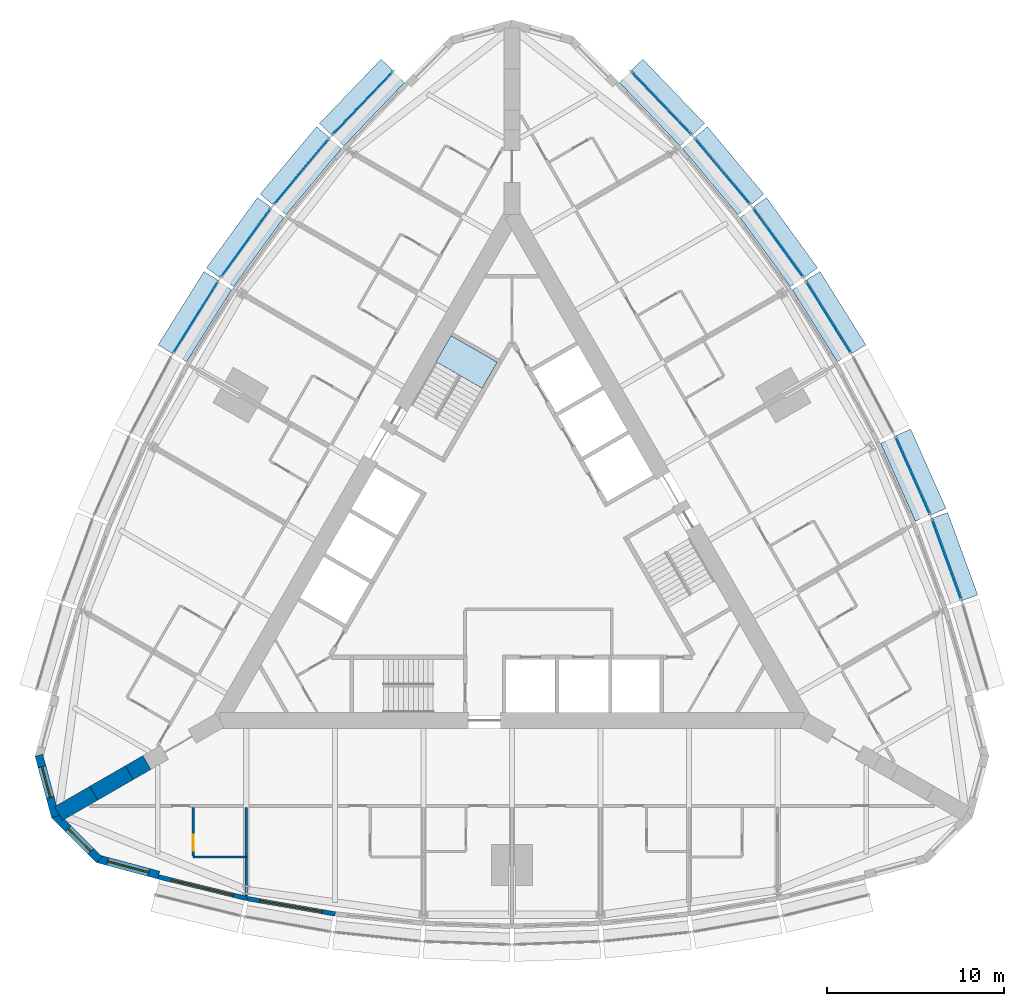
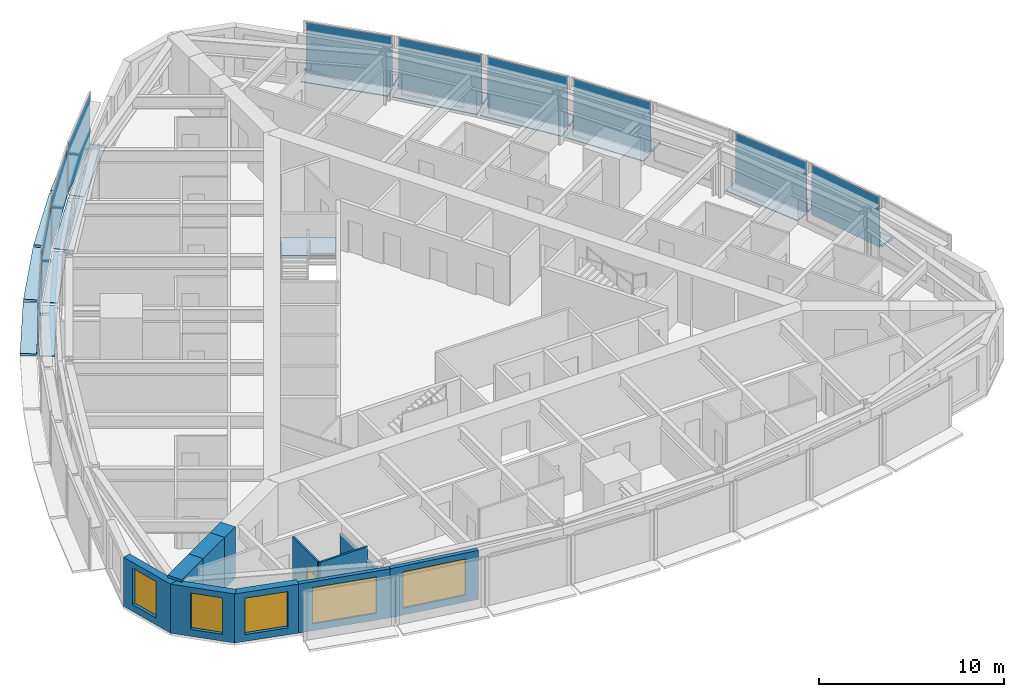
# One storey, part 7 of 14: 29 plates, 11 walls, 5 windows, 1 door, 1 slab, 6 openings, 11 elements without a shape of their own.
"""IFC4 building model written with IfcOpenShell, lengths in metres."""

from ifc_helpers import new_model, si_unit, direction, frame, frame_2d, origin, origin_2d, place, context, subcontext, project, spatial, polyline, rectangle, outline, extrude, material, layer, layer_set, type_object, element, fill, aggregate, save


model = new_model("IFC4")

# Units and contexts
model_context = context("Model", 3, precision=1e-05, world=origin(), true_north=direction((0.0, 1.0)))
body_context = subcontext(model_context, "Body", "Model", "MODEL_VIEW")
ifc_project = project(units=[si_unit("LENGTHUNIT", "METRE"), si_unit("AREAUNIT", "SQUARE_METRE"), si_unit("VOLUMEUNIT", "CUBIC_METRE"), si_unit("PLANEANGLEUNIT", "RADIAN"), si_unit("MASSUNIT", "GRAM", prefix="KILO")], contexts=[model_context])

# Site, building, storey
site_placement = place(None, origin())
site = spatial("IfcSite", under=ifc_project, at=site_placement, CompositionType="ELEMENT")
building_placement = place(site_placement, origin())
building = spatial("IfcBuilding", under=site, at=building_placement, Name="Trikona Tower", CompositionType="ELEMENT")
storey_placement = place(building_placement, frame((0.0, 0.0, 128.300048828125)))
storey = spatial("IfcBuildingStorey", under=building, at=storey_placement, Name="L33", CompositionType="ELEMENT", Elevation=128.300048828125)

# Plates
ifc_material_1 = material(Name="Aluminium bar grating", Category="aluminium")
ifc_layer_1 = layer(ifc_material_1, 0.050048828125)
ifc_layer_set_1 = layer_set([ifc_layer_1], Name="Cavity catwalk grating")
plate_type_1 = type_object("IfcPlateType", Name="Cavity catwalk grating", PredefinedType="USERDEFINED", material=ifc_layer_set_1)
plate_1_placement = place(storey_placement, frame((22.175048828125, 4.092529296875, -0.05029296875), z_axis=(0.0, 0.0, 1.0), x_axis=(-0.406843467615, 0.913497888809, 0.0)))
element("IfcPlate", 1, at=plate_1_placement, inside=storey, type_object=plate_type_1, Name="Cavity catwalk L33-14", ObjectType="CATWALK GRATING", PredefinedType="USERDEFINED", context=body_context, shape_type="SweptSolid", body=[
    extrude(rectangle(XDim=4.827392578125, YDim=0.830078125, at=origin_2d()), origin(), (0.0, 0.0, 1.0), 0.050048828125),
])
plate_2_placement = place(storey_placement, frame((17.450927734375, 12.978759765625, -0.05029296875), z_axis=(0.0, 0.0, 1.0), x_axis=(-0.529994748414, 0.848000923734, 0.0)))
element("IfcPlate", 2, at=plate_2_placement, inside=storey, type_object=plate_type_1, Name="Cavity catwalk L33-16", ObjectType="CATWALK GRATING", PredefinedType="USERDEFINED", context=body_context, shape_type="SweptSolid", body=[
    extrude(rectangle(XDim=4.802978515625, YDim=0.830078125, at=origin_2d()), origin(), (0.0, 0.0, 1.0), 0.050048828125),
])
plate_3_placement = place(storey_placement, frame((14.6318359375, 17.157958984375, -0.05029296875), z_axis=(0.0, 0.0, 1.0), x_axis=(-0.587686407834, 0.809088799853, 0.0)))
element("IfcPlate", 3, at=plate_3_placement, inside=storey, type_object=plate_type_1, Name="Cavity catwalk L33-17", ObjectType="CATWALK GRATING", PredefinedType="USERDEFINED", context=body_context, shape_type="SweptSolid", body=[
    extrude(rectangle(XDim=4.827392578125, YDim=0.830078125, at=origin_2d()), origin(), (0.0, 0.0, 1.0), 0.050048828125),
])
plate_4_placement = place(storey_placement, frame((11.508056640625, 21.160400390625, -0.05029296875), z_axis=(0.0, 0.0, 1.0), x_axis=(-0.641807063101, 0.766866151133, 0.0)))
element("IfcPlate", 4, at=plate_4_placement, inside=storey, type_object=plate_type_1, Name="Cavity catwalk L33-18", ObjectType="CATWALK GRATING", PredefinedType="USERDEFINED", context=body_context, shape_type="SweptSolid", body=[
    extrude(rectangle(XDim=4.8759765625, YDim=0.830078125, at=origin_2d()), origin(), (0.0, 0.0, 1.0), 0.050048828125),
])
for number, where, z_axis, x_axis, name in (
    (5, (8.080078125, 24.986328125, -0.05029296875), (0.0, 0.0, 1.0), (-0.691723573819, 0.722162376078, 0.0), "Cavity catwalk L33-19"),
    (6, (-8.080078125, 24.986328125, -0.05029296875), (0.0, 0.0, 1.0), (-0.691723573819, -0.722162376078, 0.0), "Cavity catwalk L33-24"),
):
    element("IfcPlate", number, at=place(storey_placement, frame(where, z_axis=z_axis, x_axis=x_axis)), inside=storey, type_object=plate_type_1, Name=name, ObjectType="CATWALK GRATING", PredefinedType="USERDEFINED", context=body_context, shape_type="SweptSolid", body=[
        extrude(rectangle(XDim=4.947998046875, YDim=0.830078125, at=origin_2d()), origin(), (0.0, 0.0, 1.0), 0.050048828125),
    ])
plate_5_placement = place(storey_placement, frame((-11.508056640625, 21.160400390625, -0.05029296875), z_axis=(0.0, 0.0, 1.0), x_axis=(-0.641807063101, -0.766866151133, 0.0)))
element("IfcPlate", 7, at=plate_5_placement, inside=storey, type_object=plate_type_1, Name="Cavity catwalk L33-25", ObjectType="CATWALK GRATING", PredefinedType="USERDEFINED", context=body_context, shape_type="SweptSolid", body=[
    extrude(rectangle(XDim=4.8759765625, YDim=0.830078125, at=origin_2d()), origin(), (0.0, 0.0, 1.0), 0.050048828125),
])
plate_6_placement = place(storey_placement, frame((-14.6318359375, 17.157958984375, -0.05029296875), z_axis=(0.0, 0.0, 1.0), x_axis=(-0.587686407834, -0.809088799853, 0.0)))
element("IfcPlate", 8, at=plate_6_placement, inside=storey, type_object=plate_type_1, Name="Cavity catwalk L33-26", ObjectType="CATWALK GRATING", PredefinedType="USERDEFINED", context=body_context, shape_type="SweptSolid", body=[
    extrude(rectangle(XDim=4.827392578125, YDim=0.830078125, at=origin_2d()), origin(), (0.0, 0.0, 1.0), 0.050048828125),
])
plate_7_placement = place(storey_placement, frame((-17.450927734375, 12.978759765625, -0.05029296875), z_axis=(0.0, 0.0, 1.0), x_axis=(-0.529994748414, -0.848000923734, 0.0)))
element("IfcPlate", 9, at=plate_7_placement, inside=storey, type_object=plate_type_1, Name="Cavity catwalk L33-27", ObjectType="CATWALK GRATING", PredefinedType="USERDEFINED", context=body_context, shape_type="SweptSolid", body=[
    extrude(rectangle(XDim=4.802978515625, YDim=0.830078125, at=origin_2d()), origin(), (0.0, 0.0, 1.0), 0.050048828125),
])

# Curtain wall, plate
ifc_material_2 = material(Name="Aluminium curtain wall system", Category="aluminium")
curtain_wall_type = type_object("IfcCurtainWallType", Name="Curtain wall DS2", PredefinedType="NOTDEFINED", material=ifc_material_2)
curtain_wall_1_placement = place(storey_placement, origin())
curtain_wall_1 = element("IfcCurtainWall", 10, at=curtain_wall_1_placement, inside=storey, type_object=curtain_wall_type, Name="Curtain wall DS2 L33", PredefinedType="NOTDEFINED")
ifc_material_3 = material(Name="Laminated clear glass", Category="glass")
ifc_layer_2 = layer(ifc_material_3, 0.028076171875)
ifc_layer_set_2 = layer_set([ifc_layer_2], Name="Glass panel DS2")
plate_type_2 = type_object("IfcPlateType", Name="Glass panel DS2", PredefinedType="CURTAIN_PANEL", material=ifc_layer_set_2)
plate_8_placement = place(storey_placement, frame((24.53515625, -0.447509765625, 0.0), z_axis=(0.0, 0.0, 1.0), x_axis=(-0.343223420143, 0.939253790978, 0.0)))
plate_8 = element("IfcPlate", 11, at=plate_8_placement, type_object=plate_type_2, Name="CW-DS2 panel 1.1", PredefinedType="CURTAIN_PANEL", context=body_context, shape_type="SweptSolid", body=[
    extrude(rectangle(XDim=4.7958984375, YDim=0.028076171875, at=origin_2d()), origin(), (0.0, 0.0, 1.0), 3.320068359375),
])
aggregate(curtain_wall_1, [plate_8])

curtain_wall_2_placement = place(storey_placement, origin())
curtain_wall_2 = element("IfcCurtainWall", 12, at=curtain_wall_2_placement, inside=storey, type_object=curtain_wall_type, Name="Curtain wall DS2 L33", PredefinedType="NOTDEFINED")
plate_9_placement = place(storey_placement, frame((22.6181640625, 4.289794921875, 0.0), z_axis=(0.0, 0.0, 1.0), x_axis=(-0.406836013132, 0.913501208767, 0.0)))
plate_9 = element("IfcPlate", 13, at=plate_9_placement, type_object=plate_type_2, Name="CW-DS2 panel 1.1", PredefinedType="CURTAIN_PANEL", context=body_context, shape_type="SweptSolid", body=[
    extrude(rectangle(XDim=4.747314453125, YDim=0.028076171875, at=origin_2d()), origin(), (0.0, 0.0, 1.0), 3.320068359375),
])
aggregate(curtain_wall_2, [plate_9])

curtain_wall_3_placement = place(storey_placement, origin())
curtain_wall_3 = element("IfcCurtainWall", 14, at=curtain_wall_3_placement, inside=storey, type_object=curtain_wall_type, Name="Curtain wall DS2 L33", PredefinedType="NOTDEFINED")
plate_10_placement = place(storey_placement, frame((17.8623046875, 13.23583984375, 0.0), z_axis=(0.0, 0.0, 1.0), x_axis=(-0.529998940002, 0.847998304006, 0.0)))
plate_10 = element("IfcPlate", 15, at=plate_10_placement, type_object=plate_type_2, Name="CW-DS2 panel 1.1", PredefinedType="CURTAIN_PANEL", context=body_context, shape_type="SweptSolid", body=[
    extrude(rectangle(XDim=4.72314453125, YDim=0.028076171875, at=origin_2d()), origin(), (0.0, 0.0, 1.0), 3.320068359375),
])
aggregate(curtain_wall_3, [plate_10])

curtain_wall_4_placement = place(storey_placement, origin())
curtain_wall_4 = element("IfcCurtainWall", 16, at=curtain_wall_4_placement, inside=storey, type_object=curtain_wall_type, Name="Curtain wall DS2 L33", PredefinedType="NOTDEFINED")
plate_11_placement = place(storey_placement, frame((15.024169921875, 17.443115234375, 0.0), z_axis=(0.0, 0.0, 1.0), x_axis=(-0.587690588313, 0.80908576332, 0.0)))
plate_11 = element("IfcPlate", 17, at=plate_11_placement, type_object=plate_type_2, Name="CW-DS2 panel 1.1", PredefinedType="CURTAIN_PANEL", context=body_context, shape_type="SweptSolid", body=[
    extrude(rectangle(XDim=4.74755859375, YDim=0.028076171875, at=origin_2d()), origin(), (0.0, 0.0, 1.0), 3.320068359375),
])
aggregate(curtain_wall_4, [plate_11])

curtain_wall_5_placement = place(storey_placement, origin())
curtain_wall_5 = element("IfcCurtainWall", 18, at=curtain_wall_5_placement, inside=storey, type_object=curtain_wall_type, Name="Curtain wall DS2 L33", PredefinedType="NOTDEFINED")
plate_12_placement = place(storey_placement, frame((11.8798828125, 21.4716796875, 0.0), z_axis=(0.0, 0.0, 1.0), x_axis=(-0.641806433248, 0.766866678271, 0.0)))
plate_12 = element("IfcPlate", 19, at=plate_12_placement, type_object=plate_type_2, Name="CW-DS2 panel 1.1", PredefinedType="CURTAIN_PANEL", context=body_context, shape_type="SweptSolid", body=[
    extrude(rectangle(XDim=4.7958984375, YDim=0.028076171875, at=origin_2d()), origin(), (0.0, 0.0, 1.0), 3.320068359375),
])
aggregate(curtain_wall_5, [plate_12])

curtain_wall_6_placement = place(storey_placement, origin())
curtain_wall_6 = element("IfcCurtainWall", 20, at=curtain_wall_6_placement, inside=storey, type_object=curtain_wall_type, Name="Curtain wall DS2 L33", PredefinedType="NOTDEFINED")
plate_13_placement = place(storey_placement, frame((8.430419921875, 25.32177734375, 0.0), z_axis=(0.0, 0.0, 1.0), x_axis=(-0.691727797117, 0.722158330767, 0.0)))
plate_13 = element("IfcPlate", 21, at=plate_13_placement, type_object=plate_type_2, Name="CW-DS2 panel 1.1", PredefinedType="CURTAIN_PANEL", context=body_context, shape_type="SweptSolid", body=[
    extrude(rectangle(XDim=4.867919921875, YDim=0.028076171875, at=origin_2d()), origin(), (0.0, 0.0, 1.0), 3.320068359375),
])
aggregate(curtain_wall_6, [plate_13])

curtain_wall_7_placement = place(storey_placement, origin())
curtain_wall_7 = element("IfcCurtainWall", 22, at=curtain_wall_7_placement, inside=storey, type_object=curtain_wall_type, Name="Curtain wall DS2 L33", PredefinedType="NOTDEFINED")
plate_14_placement = place(storey_placement, frame((-8.430419921875, 25.32177734375, 0.0), z_axis=(0.0, 0.0, 1.0), x_axis=(-0.691727797117, -0.722158330767, 0.0)))
plate_14 = element("IfcPlate", 23, at=plate_14_placement, type_object=plate_type_2, Name="CW-DS2 panel 1.1", PredefinedType="CURTAIN_PANEL", context=body_context, shape_type="SweptSolid", body=[
    extrude(rectangle(XDim=4.867919921875, YDim=0.028076171875, at=origin_2d()), origin(), (0.0, 0.0, 1.0), 3.320068359375),
])
aggregate(curtain_wall_7, [plate_14])

curtain_wall_8_placement = place(storey_placement, origin())
curtain_wall_8 = element("IfcCurtainWall", 24, at=curtain_wall_8_placement, inside=storey, type_object=curtain_wall_type, Name="Curtain wall DS2 L33", PredefinedType="NOTDEFINED")
plate_15_placement = place(storey_placement, frame((-11.8798828125, 21.4716796875, 0.0), z_axis=(0.0, 0.0, 1.0), x_axis=(-0.641806433248, -0.766866678271, 0.0)))
plate_15 = element("IfcPlate", 25, at=plate_15_placement, type_object=plate_type_2, Name="CW-DS2 panel 1.1", PredefinedType="CURTAIN_PANEL", context=body_context, shape_type="SweptSolid", body=[
    extrude(rectangle(XDim=4.7958984375, YDim=0.028076171875, at=origin_2d()), origin(), (0.0, 0.0, 1.0), 3.320068359375),
])
aggregate(curtain_wall_8, [plate_15])

curtain_wall_9_placement = place(storey_placement, origin())
curtain_wall_9 = element("IfcCurtainWall", 26, at=curtain_wall_9_placement, inside=storey, type_object=curtain_wall_type, Name="Curtain wall DS2 L33", PredefinedType="NOTDEFINED")
plate_16_placement = place(storey_placement, frame((-15.024169921875, 17.443115234375, 0.0), z_axis=(0.0, 0.0, 1.0), x_axis=(-0.587690588313, -0.80908576332, 0.0)))
plate_16 = element("IfcPlate", 27, at=plate_16_placement, type_object=plate_type_2, Name="CW-DS2 panel 1.1", PredefinedType="CURTAIN_PANEL", context=body_context, shape_type="SweptSolid", body=[
    extrude(rectangle(XDim=4.74755859375, YDim=0.028076171875, at=origin_2d()), origin(), (0.0, 0.0, 1.0), 3.320068359375),
])
aggregate(curtain_wall_9, [plate_16])

curtain_wall_10_placement = place(storey_placement, origin())
curtain_wall_10 = element("IfcCurtainWall", 28, at=curtain_wall_10_placement, inside=storey, type_object=curtain_wall_type, Name="Curtain wall DS2 L33", PredefinedType="NOTDEFINED")
plate_17_placement = place(storey_placement, frame((-17.8623046875, 13.23583984375, 0.0), z_axis=(0.0, 0.0, 1.0), x_axis=(-0.529998940002, -0.847998304006, 0.0)))
plate_17 = element("IfcPlate", 29, at=plate_17_placement, type_object=plate_type_2, Name="CW-DS2 panel 1.1", PredefinedType="CURTAIN_PANEL", context=body_context, shape_type="SweptSolid", body=[
    extrude(rectangle(XDim=4.72314453125, YDim=0.028076171875, at=origin_2d()), origin(), (0.0, 0.0, 1.0), 3.320068359375),
])
aggregate(curtain_wall_10, [plate_17])

# Plates
ifc_material_4 = material(Name="Aluminium plate fin, pale anodised, on stainless steel outriggers", Category="steel")
ifc_layer_3 = layer(ifc_material_4, 0.14990234375)
ifc_layer_set_3 = layer_set([ifc_layer_3], Name="Outer skin fin 900")
plate_type_3 = type_object("IfcPlateType", Name="Outer skin fin 900", PredefinedType="USERDEFINED", material=ifc_layer_set_3)
plate_18_placement = place(storey_placement, frame((25.0234375, -0.26904296875, 0.0), z_axis=(0.0, 0.0, 1.0), x_axis=(-0.343220397324, 0.939254895575, 0.0)))
element("IfcPlate", 30, at=plate_18_placement, inside=storey, type_object=plate_type_3, Name="Outer skin fin L33-13", ObjectType="FIN", PredefinedType="USERDEFINED", context=body_context, shape_type="SweptSolid", body=[
    extrude(rectangle(XDim=4.9560546875, YDim=0.89990234375, at=origin_2d()), origin(), (0.0, 0.0, 1.0), 0.14990234375),
])
plate_19_placement = place(storey_placement, frame((23.09326171875, 4.50146484375, 0.0), z_axis=(0.0, 0.0, 1.0), x_axis=(-0.406843467615, 0.913497888809, 0.0)))
element("IfcPlate", 31, at=plate_19_placement, inside=storey, type_object=plate_type_3, Name="Outer skin fin L33-14", ObjectType="FIN", PredefinedType="USERDEFINED", context=body_context, shape_type="SweptSolid", body=[
    extrude(rectangle(XDim=4.907470703125, YDim=0.89990234375, at=origin_2d()), origin(), (0.0, 0.0, 1.0), 0.14990234375),
])
plate_20_placement = place(storey_placement, frame((18.30322265625, 13.511474609375, 0.0), z_axis=(0.0, 0.0, 1.0), x_axis=(-0.529994748414, 0.848000923734, 0.0)))
element("IfcPlate", 32, at=plate_20_placement, inside=storey, type_object=plate_type_3, Name="Outer skin fin L33-16", ObjectType="FIN", PredefinedType="USERDEFINED", context=body_context, shape_type="SweptSolid", body=[
    extrude(rectangle(XDim=4.883056640625, YDim=0.89990234375, at=origin_2d()), origin(), (0.0, 0.0, 1.0), 0.14990234375),
])
plate_21_placement = place(storey_placement, frame((15.44482421875, 17.74853515625, 0.0), z_axis=(0.0, 0.0, 1.0), x_axis=(-0.587686407834, 0.809088799853, 0.0)))
element("IfcPlate", 33, at=plate_21_placement, inside=storey, type_object=plate_type_3, Name="Outer skin fin L33-17", ObjectType="FIN", PredefinedType="USERDEFINED", context=body_context, shape_type="SweptSolid", body=[
    extrude(rectangle(XDim=4.907470703125, YDim=0.89990234375, at=origin_2d()), origin(), (0.0, 0.0, 1.0), 0.14990234375),
])
plate_22_placement = place(storey_placement, frame((12.27880859375, 21.8056640625, 0.0), z_axis=(0.0, 0.0, 1.0), x_axis=(-0.641807063101, 0.766866151133, 0.0)))
element("IfcPlate", 34, at=plate_22_placement, inside=storey, type_object=plate_type_3, Name="Outer skin fin L33-18", ObjectType="FIN", PredefinedType="USERDEFINED", context=body_context, shape_type="SweptSolid", body=[
    extrude(rectangle(XDim=4.9560546875, YDim=0.89990234375, at=origin_2d()), origin(), (0.0, 0.0, 1.0), 0.14990234375),
])
for number, where, z_axis, x_axis, name in (
    (35, (8.805908203125, 25.681396484375, 0.0), (0.0, 0.0, 1.0), (-0.691723573819, 0.722162376078, 0.0), "Outer skin fin L33-19"),
    (36, (-8.805908203125, 25.681396484375, 0.0), (0.0, 0.0, 1.0), (-0.691723573819, -0.722162376078, 0.0), "Outer skin fin L33-24"),
):
    element("IfcPlate", number, at=place(storey_placement, frame(where, z_axis=z_axis, x_axis=x_axis)), inside=storey, type_object=plate_type_3, Name=name, ObjectType="FIN", PredefinedType="USERDEFINED", context=body_context, shape_type="SweptSolid", body=[
        extrude(rectangle(XDim=5.02783203125, YDim=0.89990234375, at=origin_2d()), origin(), (0.0, 0.0, 1.0), 0.14990234375),
    ])
plate_23_placement = place(storey_placement, frame((-12.27880859375, 21.8056640625, 0.0), z_axis=(0.0, 0.0, 1.0), x_axis=(-0.641807063101, -0.766866151133, 0.0)))
element("IfcPlate", 37, at=plate_23_placement, inside=storey, type_object=plate_type_3, Name="Outer skin fin L33-25", ObjectType="FIN", PredefinedType="USERDEFINED", context=body_context, shape_type="SweptSolid", body=[
    extrude(rectangle(XDim=4.9560546875, YDim=0.89990234375, at=origin_2d()), origin(), (0.0, 0.0, 1.0), 0.14990234375),
])
plate_24_placement = place(storey_placement, frame((-15.44482421875, 17.74853515625, 0.0), z_axis=(0.0, 0.0, 1.0), x_axis=(-0.587686407834, -0.809088799853, 0.0)))
element("IfcPlate", 38, at=plate_24_placement, inside=storey, type_object=plate_type_3, Name="Outer skin fin L33-26", ObjectType="FIN", PredefinedType="USERDEFINED", context=body_context, shape_type="SweptSolid", body=[
    extrude(rectangle(XDim=4.907470703125, YDim=0.89990234375, at=origin_2d()), origin(), (0.0, 0.0, 1.0), 0.14990234375),
])
plate_25_placement = place(storey_placement, frame((-18.30322265625, 13.511474609375, 0.0), z_axis=(0.0, 0.0, 1.0), x_axis=(-0.529994748414, -0.848000923734, 0.0)))
element("IfcPlate", 39, at=plate_25_placement, inside=storey, type_object=plate_type_3, Name="Outer skin fin L33-27", ObjectType="FIN", PredefinedType="USERDEFINED", context=body_context, shape_type="SweptSolid", body=[
    extrude(rectangle(XDim=4.883056640625, YDim=0.89990234375, at=origin_2d()), origin(), (0.0, 0.0, 1.0), 0.14990234375),
])

# Stair, slab
ifc_material_5 = material(Name="Concrete f'c 5000 psi", Category="concrete")
stair_type = type_object("IfcStairType", Name="Core stair", PredefinedType="HALF_TURN_STAIR", material=ifc_material_5)
stair_placement = place(storey_placement, origin())
stair = element("IfcStair", 40, at=stair_placement, inside=storey, type_object=stair_type, Name="Stair C L33", PredefinedType="HALF_TURN_STAIR")
ifc_material_6 = material(Name="Concrete f'c 5000 psi", Category="concrete")
ifc_layer_4 = layer(ifc_material_6, 0.199951171875)
ifc_layer_set_4 = layer_set([ifc_layer_4], Name="Stair landing 200")
slab_type = type_object("IfcSlabType", Name="Stair landing 200", PredefinedType="LANDING", material=ifc_layer_set_4)
slab_placement = place(storey_placement, frame((0.0, 0.0, 1.5)))
slab = element("IfcSlab", 41, at=slab_placement, type_object=slab_type, Name="ST-C landing 2", PredefinedType="LANDING", context=body_context, shape_type="SweptSolid", body=[
    extrude(outline(polyline([(-0.837158203125, 10.702392578125), (-1.688720703125, 9.2275390625), (-4.286865234375, 10.7275390625), (-3.435302734375, 12.202392578125), (-0.837158203125, 10.702392578125)])), origin(), (0.0, 0.0, 1.0), 0.199951171875),
])
aggregate(stair, [slab])

# Wall
ifc_material_7 = material(Name="Metal stud and cement board", Category="gypsum")
ifc_layer_5 = layer(ifc_material_7, 0.1201171875)
ifc_layer_set_5 = layer_set([ifc_layer_5], Name="Bathroom wall 120")
wall_type_1 = type_object("IfcWallType", Name="Bathroom wall 120", PredefinedType="PLUMBINGWALL", material=ifc_layer_set_5)
wall_1_placement = place(storey_placement, frame((-18.0, -17.226318359375, 0.0), z_axis=(0.0, 0.0, 1.0), x_axis=(1.0, 0.0, 0.0)))
element("IfcWall", 42, at=wall_1_placement, inside=storey, type_object=wall_type_1, Name="Bathroom wall 3301", PredefinedType="PLUMBINGWALL", context=body_context, shape_type="SweptSolid", body=[
    extrude(rectangle(XDim=3.0, YDim=0.1201171875, at=frame_2d((1.5, 0.0))), origin(), (0.0, 0.0, 1.0), 3.23486328125),
])

# Wall, opening, door
wall_2_placement = place(storey_placement, frame((-18.0, -14.42626953125, 0.0), z_axis=(0.0, 0.0, 1.0), x_axis=(0.0, -1.0, 0.0)))
wall_2 = element("IfcWall", 43, at=wall_2_placement, inside=storey, type_object=wall_type_1, Name="Bathroom wall 3301", PredefinedType="PLUMBINGWALL", context=body_context, shape_type="SweptSolid", body=[
    extrude(rectangle(XDim=2.739990234375, YDim=0.1201171875, at=frame_2d((1.3701171875, 0.0))), origin(), (0.0, 0.0, 1.0), 3.23486328125),
])
opening_1_placement = place(wall_2_placement, frame((1.550048828125, 0.0, 0.0)))
opening_1 = element("IfcOpeningElement", 44, at=opening_1_placement, cuts=wall_2, Name="Opening D2", PredefinedType="OPENING", context=body_context, shape_type="SweptSolid", body=[
    extrude(rectangle(XDim=0.89990234375, YDim=2.1298828125, at=frame_2d((0.449951171875, 1.06494140625))), frame((0.0, 0.070068359375, 0.0), z_axis=(0.0, -1.0, 0.0), x_axis=(1.0, 0.0, 0.0)), (0.0, 0.0, 1.0), 0.14013671875),
])
ifc_material_8 = material(Name="Steel door frame with solid-core timber leaf", Category="steel")
door_type = type_object("IfcDoorType", Name="Bathroom door 900x2130", OperationType="SLIDING_TO_LEFT", PredefinedType="DOOR", material=ifc_material_8)
door_placement = place(opening_1_placement, origin())
door = element("IfcDoor", 45, at=door_placement, inside=storey, type_object=door_type, Name="Bathroom door 3301", OperationType="SLIDING_TO_LEFT", OverallHeight=2.1298828125, OverallWidth=0.89990234375, PredefinedType="DOOR", context=body_context, shape_type="SweptSolid", body=[
    extrude(rectangle(XDim=0.89990234375, YDim=2.1298828125, at=frame_2d((0.449951171875, 1.06494140625))), frame((0.0, 0.02490234375, 0.0), z_axis=(0.0, -1.0, 0.0), x_axis=(1.0, 0.0, 0.0)), (0.0, 0.0, 1.0), 0.050048828125),
])
fill(opening_1, door)

# Wall, opening, window
ifc_material_9 = material(Name="Brick-faced precast concrete", Category="masonry")
ifc_layer_6 = layer(ifc_material_9, 0.449951171875)
ifc_layer_set_6 = layer_set([ifc_layer_6], Name="Brick-faced corner wall 450")
wall_type_2 = type_object("IfcWallType", Name="Brick-faced corner wall 450", PredefinedType="SOLIDWALL", material=ifc_layer_set_6)
wall_3_placement = place(storey_placement, frame((-26.7109375, -11.48876953125, 0.0), z_axis=(0.0, 0.0, 1.0), x_axis=(0.258823421857, -0.965924653531, 0.0)))
wall_3 = element("IfcWall", 46, at=wall_3_placement, inside=storey, type_object=wall_type_2, Name="External wall L33-33", PredefinedType="SOLIDWALL", context=body_context, shape_type="SweptSolid", body=[
    extrude(outline(polyline([(3.58642578125, 0.22509765625), (3.52685546875, 0.22509765625), (3.03515625, 0.09326171875), (3.0, 0.22509765625), (0.0, 0.22509765625), (0.0, -0.22509765625), (3.58642578125, -0.22509765625), (3.58642578125, 0.22509765625)])), origin(), (0.0, 0.0, 1.0), 3.23486328125),
])
opening_2_placement = place(wall_3_placement, frame((0.6748046875, 0.0, 0.449951171875)))
opening_2 = element("IfcOpeningElement", 47, at=opening_2_placement, cuts=wall_3, Name="Opening W1824", PredefinedType="OPENING", context=body_context, shape_type="SweptSolid", body=[
    extrude(rectangle(XDim=1.800048828125, YDim=2.39990234375, at=frame_2d((0.89990234375, 1.199951171875))), frame((0.0, 0.23486328125, 0.0), z_axis=(0.0, -1.0, 0.0), x_axis=(1.0, 0.0, 0.0)), (0.0, 0.0, 1.0), 0.469970703125),
])
ifc_material_10 = material(Name="Aluminium-framed double glazing", Category="aluminium")
window_type_1 = type_object("IfcWindowType", Name="Window 1800x2400", PartitioningType="SINGLE_PANEL", PredefinedType="WINDOW", material=ifc_material_10)
window_1_placement = place(opening_2_placement, origin())
window_1 = element("IfcWindow", 48, at=window_1_placement, inside=storey, type_object=window_type_1, Name="Window 3318", OverallHeight=2.39990234375, OverallWidth=1.800048828125, PartitioningType="SINGLE_PANEL", PredefinedType="WINDOW", context=body_context, shape_type="SweptSolid", body=[
    extrude(rectangle(XDim=1.800048828125, YDim=2.39990234375, at=frame_2d((0.89990234375, 1.199951171875))), frame((0.0, 0.030029296875, 0.0), z_axis=(0.0, -1.0, 0.0), x_axis=(1.0, 0.0, 0.0)), (0.0, 0.0, 1.0), 0.06005859375),
])
fill(opening_2, window_1)

wall_4_placement = place(storey_placement, frame((-25.8408203125, -14.85205078125, 0.0), z_axis=(0.0, 0.0, 1.0), x_axis=(0.707106781187, -0.707106781187, 0.0)))
wall_4 = element("IfcWall", 49, at=wall_4_placement, inside=storey, type_object=wall_type_2, Name="External wall L33-34", PredefinedType="SOLIDWALL", context=body_context, shape_type="SweptSolid", body=[
    extrude(outline(polyline([(3.586181640625, 0.22509765625), (0.58642578125, 0.22509765625), (0.551025390625, 0.09326171875), (0.05908203125, 0.22509765625), (0.0, 0.22509765625), (0.0, -0.22509765625), (3.586181640625, -0.22509765625), (3.586181640625, 0.22509765625)])), origin(), (0.0, 0.0, 1.0), 3.23486328125),
])
opening_3_placement = place(wall_4_placement, frame((1.111328125, 0.0, 0.449951171875)))
opening_3 = element("IfcOpeningElement", 50, at=opening_3_placement, cuts=wall_4, Name="Opening W1824", PredefinedType="OPENING", context=body_context, shape_type="SweptSolid", body=[
    extrude(rectangle(XDim=1.800048828125, YDim=2.39990234375, at=frame_2d((0.89990234375, 1.199951171875))), frame((0.0, 0.23486328125, 0.0), z_axis=(0.0, -1.0, 0.0), x_axis=(1.0, 0.0, 0.0)), (0.0, 0.0, 1.0), 0.469970703125),
])
window_2_placement = place(opening_3_placement, origin())
window_2 = element("IfcWindow", 51, at=window_2_placement, inside=storey, type_object=window_type_1, Name="Window 3301", OverallHeight=2.39990234375, OverallWidth=1.800048828125, PartitioningType="SINGLE_PANEL", PredefinedType="WINDOW", context=body_context, shape_type="SweptSolid", body=[
    extrude(rectangle(XDim=1.800048828125, YDim=2.39990234375, at=frame_2d((0.89990234375, 1.199951171875))), frame((0.0, 0.030029296875, 0.0), z_axis=(0.0, -1.0, 0.0), x_axis=(1.0, 0.0, 0.0)), (0.0, 0.0, 1.0), 0.06005859375),
])
fill(opening_3, window_2)

wall_5_placement = place(storey_placement, frame((-23.406005859375, -17.32958984375, 0.0), z_axis=(0.0, 0.0, 1.0), x_axis=(0.965924653531, -0.258823421857, 0.0)))
wall_5 = element("IfcWall", 52, at=wall_5_placement, inside=storey, type_object=wall_type_2, Name="External wall L33-35", PredefinedType="SOLIDWALL", context=body_context, shape_type="SweptSolid", body=[
    extrude(rectangle(XDim=3.58642578125, YDim=0.449951171875, at=frame_2d((1.793212890625, 0.0))), origin(), (0.0, 0.0, 1.0), 3.23486328125),
])
opening_4_placement = place(wall_5_placement, frame((0.593017578125, 0.0, 0.449951171875)))
opening_4 = element("IfcOpeningElement", 53, at=opening_4_placement, cuts=wall_5, Name="Opening W2424", PredefinedType="OPENING", context=body_context, shape_type="SweptSolid", body=[
    extrude(rectangle(XDim=2.39990234375, YDim=2.39990234375, at=frame_2d((1.199951171875, 1.199951171875))), frame((0.0, 0.23486328125, 0.0), z_axis=(0.0, -1.0, 0.0), x_axis=(1.0, 0.0, 0.0)), (0.0, 0.0, 1.0), 0.469970703125),
])
ifc_material_11 = material(Name="Aluminium-framed double glazing", Category="aluminium")
window_type_2 = type_object("IfcWindowType", Name="Window 2400x2400", PartitioningType="SINGLE_PANEL", PredefinedType="WINDOW", material=ifc_material_11)
window_3_placement = place(opening_4_placement, origin())
window_3 = element("IfcWindow", 54, at=window_3_placement, inside=storey, type_object=window_type_2, Name="Window 3301", OverallHeight=2.39990234375, OverallWidth=2.39990234375, PartitioningType="SINGLE_PANEL", PredefinedType="WINDOW", context=body_context, shape_type="SweptSolid", body=[
    extrude(rectangle(XDim=2.39990234375, YDim=2.39990234375, at=frame_2d((1.199951171875, 1.199951171875))), frame((0.0, 0.030029296875, 0.0), z_axis=(0.0, -1.0, 0.0), x_axis=(1.0, 0.0, 0.0)), (0.0, 0.0, 1.0), 0.06005859375),
])
fill(opening_4, window_3)

# Walls
ifc_material_12 = material(Name="Concrete f'c 10000 psi", Category="concrete")
ifc_layer_7 = layer(ifc_material_12, 0.89990234375)
ifc_layer_set_7 = layer_set([ifc_layer_7], Name="Buttress wall 900")
wall_type_3 = type_object("IfcWallType", Name="Buttress wall 900", PredefinedType="SHEAR", material=ifc_layer_set_7)
wall_6_placement = place(storey_placement, frame((-20.6103515625, -11.8994140625, 0.0), z_axis=(0.0, 0.0, 1.0), x_axis=(-0.866009537788, -0.500027479704, 0.0)))
element("IfcWall", 55, at=wall_6_placement, inside=storey, type_object=wall_type_3, Name="Buttress wall 3 part 2", PredefinedType="SHEAR", context=body_context, shape_type="SweptSolid", body=[
    extrude(rectangle(XDim=1.15478515625, YDim=0.89990234375, at=frame_2d((0.577392578125, 0.0))), origin(), (0.0, 0.0, 1.0), 3.39990234375),
])
for number, where, z_axis, x_axis, name in (
    (56, (-21.6103515625, -12.476806640625, 0.0), (0.0, 0.0, 1.0), (-0.866055313784, -0.499948190782, 0.0), "Buttress wall 3 part 3"),
    (57, (-23.6103515625, -13.63134765625, 0.0), (0.0, 0.0, 1.0), (-0.866009537788, -0.500027479704, 0.0), "Buttress wall 3 part 4"),
):
    element("IfcWall", number, at=place(storey_placement, frame(where, z_axis=z_axis, x_axis=x_axis)), inside=storey, type_object=wall_type_3, Name=name, PredefinedType="SHEAR", context=body_context, shape_type="SweptSolid", body=[
        extrude(rectangle(XDim=2.309326171875, YDim=0.89990234375, at=frame_2d((1.15478515625, 0.0))), origin(), (0.0, 0.0, 1.0), 3.39990234375),
    ])

# Wall, opening, window
ifc_material_13 = material(Name="Insulated precast concrete spandrel panel", Category="concrete")
ifc_layer_8 = layer(ifc_material_13, 0.25)
ifc_layer_set_8 = layer_set([ifc_layer_8], Name="Inner skin wall 250")
wall_type_4 = type_object("IfcWallType", Name="Inner skin wall 250", PredefinedType="STANDARD", material=ifc_layer_set_8)
wall_7_placement = place(storey_placement, frame((-19.97021484375, -18.353759765625, 0.0), z_axis=(0.0, 0.0, 1.0), x_axis=(0.971270024053, -0.237980126011, 0.0)))
wall_7 = element("IfcWall", 58, at=wall_7_placement, inside=storey, type_object=wall_type_4, Name="External wall L33-00", PredefinedType="STANDARD", context=body_context, shape_type="SweptSolid", body=[
    extrude(rectangle(XDim=5.14794921875, YDim=0.25, at=frame_2d((2.573974609375, 0.0))), origin(), (0.0, 0.0, 1.0), 3.23486328125),
])
opening_5_placement = place(wall_7_placement, frame((0.77392578125, 0.0, 0.449951171875)))
opening_5 = element("IfcOpeningElement", 59, at=opening_5_placement, cuts=wall_7, Name="Opening W3624", PredefinedType="OPENING", context=body_context, shape_type="SweptSolid", body=[
    extrude(rectangle(XDim=3.60009765625, YDim=2.39990234375, at=frame_2d((1.800048828125, 1.199951171875))), frame((0.0, 0.135009765625, 0.0), z_axis=(0.0, -1.0, 0.0), x_axis=(1.0, 0.0, 0.0)), (0.0, 0.0, 1.0), 0.27001953125),
])
ifc_material_14 = material(Name="Aluminium-framed double glazing", Category="aluminium")
window_type_3 = type_object("IfcWindowType", Name="Window 3600x2400", PartitioningType="SINGLE_PANEL", PredefinedType="WINDOW", material=ifc_material_14)
window_4_placement = place(opening_5_placement, origin())
window_4 = element("IfcWindow", 60, at=window_4_placement, inside=storey, type_object=window_type_3, Name="Window 3301", OverallHeight=2.39990234375, OverallWidth=3.60009765625, PartitioningType="SINGLE_PANEL", PredefinedType="WINDOW", context=body_context, shape_type="SweptSolid", body=[
    extrude(rectangle(XDim=3.60009765625, YDim=2.39990234375, at=frame_2d((1.800048828125, 1.199951171875))), frame((0.0, 0.030029296875, 0.0), z_axis=(0.0, -1.0, 0.0), x_axis=(1.0, 0.0, 0.0)), (0.0, 0.0, 1.0), 0.06005859375),
])
fill(opening_5, window_4)

wall_8_placement = place(storey_placement, frame((-14.978515625, -19.5771484375, 0.0), z_axis=(0.0, 0.0, 1.0), x_axis=(0.985030467156, -0.172380331752, 0.0)))
wall_8 = element("IfcWall", 61, at=wall_8_placement, inside=storey, type_object=wall_type_4, Name="External wall L33-01", PredefinedType="STANDARD", context=body_context, shape_type="SweptSolid", body=[
    extrude(rectangle(XDim=5.075927734375, YDim=0.25, at=frame_2d((2.5380859375, 0.0))), origin(), (0.0, 0.0, 1.0), 3.23486328125),
])
opening_6_placement = place(wall_8_placement, frame((0.738037109375, 0.0, 0.449951171875)))
opening_6 = element("IfcOpeningElement", 62, at=opening_6_placement, cuts=wall_8, Name="Opening W3624", PredefinedType="OPENING", context=body_context, shape_type="SweptSolid", body=[
    extrude(rectangle(XDim=3.60009765625, YDim=2.39990234375, at=frame_2d((1.800048828125, 1.199951171875))), frame((0.0, 0.135009765625, 0.0), z_axis=(0.0, -1.0, 0.0), x_axis=(1.0, 0.0, 0.0)), (0.0, 0.0, 1.0), 0.27001953125),
])
window_5_placement = place(opening_6_placement, origin())
window_5 = element("IfcWindow", 63, at=window_5_placement, inside=storey, type_object=window_type_3, Name="Window 3302", OverallHeight=2.39990234375, OverallWidth=3.60009765625, PartitioningType="SINGLE_PANEL", PredefinedType="WINDOW", context=body_context, shape_type="SweptSolid", body=[
    extrude(rectangle(XDim=3.60009765625, YDim=2.39990234375, at=frame_2d((1.800048828125, 1.199951171875))), frame((0.0, 0.030029296875, 0.0), z_axis=(0.0, -1.0, 0.0), x_axis=(1.0, 0.0, 0.0)), (0.0, 0.0, 1.0), 0.06005859375),
])
fill(opening_6, window_5)

# Wall
ifc_material_15 = material(Name="Metal stud and gypsum board, 1-hour acoustic", Category="gypsum")
ifc_layer_9 = layer(ifc_material_15, 0.14990234375)
ifc_layer_set_9 = layer_set([ifc_layer_9], Name="Party wall 150")
wall_type_5 = type_object("IfcWallType", Name="Party wall 150", PredefinedType="PARTITIONING", material=ifc_layer_set_9)
wall_9_placement = place(storey_placement, frame((-15.0, -14.42626953125, 0.0), z_axis=(0.0, 0.0, 1.0), x_axis=(0.0, -1.0, 0.0)))
element("IfcWall", 64, at=wall_9_placement, inside=storey, type_object=wall_type_5, Name="Partition L33 F1 u-15", PredefinedType="PARTITIONING", context=body_context, shape_type="SweptSolid", body=[
    extrude(rectangle(XDim=5.0166015625, YDim=0.14990234375, at=frame_2d((2.50830078125, 0.0))), origin(), (0.0, 0.0, 1.0), 2.38916015625),
])

save(model, "model.ifc")
